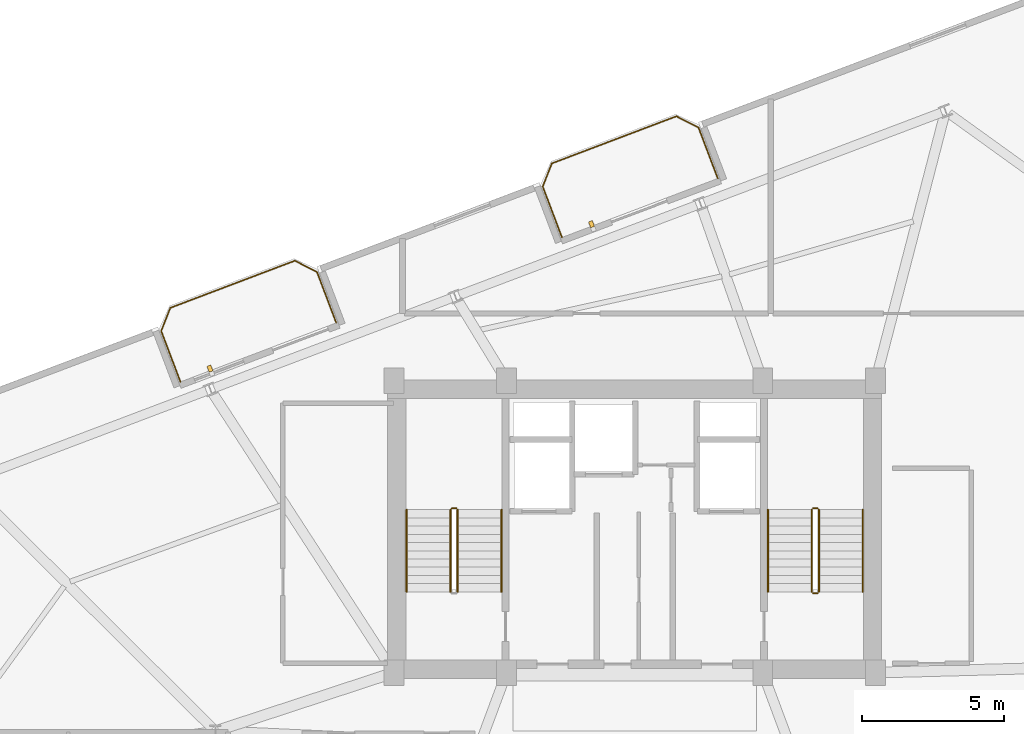
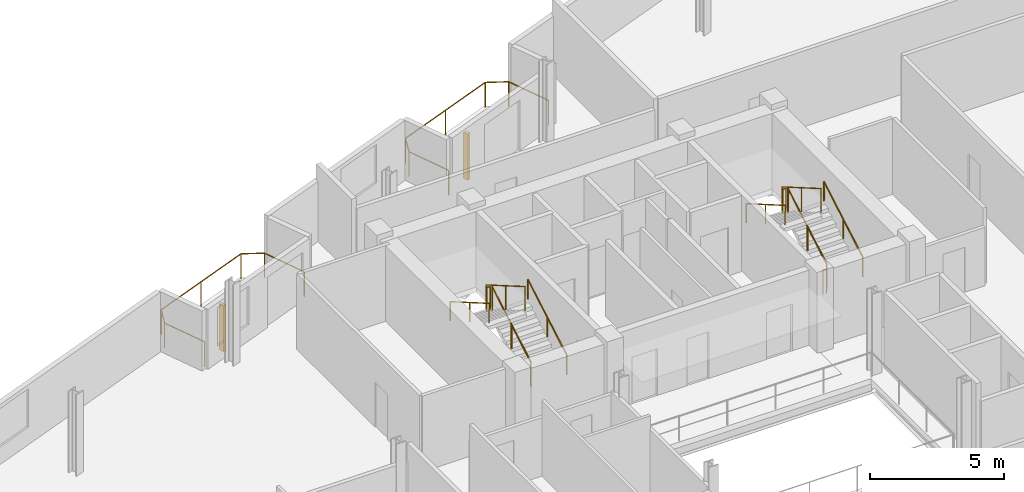
# One storey, part 19 of 19: 13 railings, 2 shading devices.
"""IFC4 building model written with IfcOpenShell, lengths in metres."""

from ifc_helpers import new_model, si_unit, direction, frame, origin, origin_2d, place, context, subcontext, project, spatial, rectangle, circle, extrude, source, transform, mapped, material, type_object, element, save


model = new_model("IFC4")

# Units and contexts
model_context = context("Model", 3, precision=1e-05, world=origin(), true_north=direction((0.0, 1.0)))
body_context = subcontext(model_context, "Body", "Model", "MODEL_VIEW")
ifc_project = project(units=[si_unit("LENGTHUNIT", "METRE"), si_unit("AREAUNIT", "SQUARE_METRE"), si_unit("VOLUMEUNIT", "CUBIC_METRE"), si_unit("PLANEANGLEUNIT", "RADIAN"), si_unit("MASSUNIT", "GRAM", prefix="KILO")], contexts=[model_context])

# Site, building, storey
site_placement = place(None, origin())
site = spatial("IfcSite", under=ifc_project, at=site_placement, CompositionType="ELEMENT")
building_placement = place(site_placement, origin())
building = spatial("IfcBuilding", under=site, at=building_placement, Name="Varnelok Gate Tower", CompositionType="ELEMENT")
storey_placement = place(building_placement, frame((0.0, 0.0, 231.199951171875)))
storey = spatial("IfcBuildingStorey", under=building, at=storey_placement, Name="L59", CompositionType="ELEMENT", Elevation=231.199951171875)

# Railings
ifc_material_1 = material(Name="Low-E Laminated Double Glazing IGU", Category="glass")
railing_type_1 = type_object("IfcRailingType", Name="RL-BALC-1150", PredefinedType="BALUSTRADE", material=ifc_material_1)
railing_1_placement = place(storey_placement, frame((23.166748046875, 39.011474609375, 0.0)))
element("IfcRailing", 1, at=railing_1_placement, inside=storey, type_object=railing_type_1, Name="L59 North Terrace Balustrade 3", PredefinedType="BALUSTRADE", context=body_context, shape_type="SweptSolid", body=[
    extrude(circle(Radius=0.02392578125, at=origin_2d()), frame((0.0, 0.0, 1.1259765625), z_axis=(-0.354159661475, 0.935184973245, 0.0), x_axis=(-0.935184973245, -0.354159661475, 0.0)), (0.0, 0.0, 1.0), 1.919921875),
    extrude(circle(Radius=0.02392578125, at=origin_2d()), frame((-0.679931640625, 1.79541015625, 1.1259765625), z_axis=(0.366495340819, 0.93041988648, 0.0), x_axis=(-0.93041988648, 0.366495340819, 0.0)), (0.0, 0.0, 1.0), 0.8779296875),
    extrude(circle(Radius=0.02392578125, at=origin_2d()), frame((-0.358154296875, 2.6123046875, 1.1259765625), z_axis=(0.935223045203, 0.354059113314, 0.0), x_axis=(-0.354059113314, 0.935223045203, 0.0)), (0.0, 0.0, 1.0), 4.699951171875),
    extrude(circle(Radius=0.02392578125, at=origin_2d()), frame((4.037353515625, 4.2763671875, 1.1259765625), z_axis=(0.89078254773, -0.454429810487, 0.0), x_axis=(0.454429810487, 0.89078254773, 0.0)), (0.0, 0.0, 1.0), 0.8779296875),
    extrude(circle(Radius=0.02392578125, at=origin_2d()), frame((4.8193359375, 3.87744140625, 1.1259765625), z_axis=(0.354006333352, -0.935243025073, 0.0), x_axis=(0.935243025073, 0.354006333352, 0.0)), (0.0, 0.0, 1.0), 1.919921875),
    extrude(circle(Radius=0.02099609375, at=origin_2d()), origin(), (0.0, 0.0, 1.0), 1.101806640625),
    extrude(circle(Radius=0.02099609375, at=origin_2d()), frame((-0.679931640625, 1.79541015625, 0.0)), (0.0, 0.0, 1.0), 1.101806640625),
    extrude(circle(Radius=0.02099609375, at=origin_2d()), frame((-0.358154296875, 2.6123046875, 0.0)), (0.0, 0.0, 1.0), 1.101806640625),
    extrude(circle(Radius=0.02099609375, at=origin_2d()), frame((1.839599609375, 3.4443359375, 0.0)), (0.0, 0.0, 1.0), 1.101806640625),
    extrude(circle(Radius=0.02099609375, at=origin_2d()), frame((4.037353515625, 4.2763671875, 0.0)), (0.0, 0.0, 1.0), 1.101806640625),
    extrude(circle(Radius=0.02099609375, at=origin_2d()), frame((4.8193359375, 3.87744140625, 0.0)), (0.0, 0.0, 1.0), 1.101806640625),
    extrude(circle(Radius=0.02099609375, at=origin_2d()), frame((5.4990234375, 2.081787109375, 0.0)), (0.0, 0.0, 1.0), 1.101806640625),
])
railing_2_placement = place(storey_placement, frame((36.6337890625, 44.10986328125, 0.0)))
element("IfcRailing", 2, at=railing_2_placement, inside=storey, type_object=railing_type_1, Name="L59 North Terrace Balustrade 4", PredefinedType="BALUSTRADE", context=body_context, shape_type="SweptSolid", body=[
    extrude(circle(Radius=0.02392578125, at=origin_2d()), frame((0.0, 0.0, 1.1259765625), z_axis=(-0.354006333352, 0.935243025073, 0.0), x_axis=(-0.935243025073, -0.354006333352, 0.0)), (0.0, 0.0, 1.0), 1.919921875),
    extrude(circle(Radius=0.02392578125, at=origin_2d()), frame((-0.6796875, 1.795654296875, 1.1259765625), z_axis=(0.366254584666, 0.930514685113, 0.0), x_axis=(-0.930514685113, 0.366254584666, 0.0)), (0.0, 0.0, 1.0), 0.8779296875),
    extrude(circle(Radius=0.02392578125, at=origin_2d()), frame((-0.358154296875, 2.612548828125, 1.1259765625), z_axis=(0.935229556479, 0.354041913744, 0.0), x_axis=(-0.354041913744, 0.935229556479, 0.0)), (0.0, 0.0, 1.0), 4.7001953125),
    extrude(circle(Radius=0.02392578125, at=origin_2d()), frame((4.03759765625, 4.276611328125, 1.1259765625), z_axis=(0.890612455555, -0.454763074589, 0.0), x_axis=(0.454763074589, 0.890612455555, 0.0)), (0.0, 0.0, 1.0), 0.877685546875),
    extrude(circle(Radius=0.02392578125, at=origin_2d()), frame((4.8193359375, 3.87744140625, 1.1259765625), z_axis=(0.354159661475, -0.935184973245, 0.0), x_axis=(0.935184973245, 0.354159661475, 0.0)), (0.0, 0.0, 1.0), 1.919921875),
    extrude(circle(Radius=0.02099609375, at=origin_2d()), origin(), (0.0, 0.0, 1.0), 1.101806640625),
    extrude(circle(Radius=0.02099609375, at=origin_2d()), frame((-0.6796875, 1.795654296875, 0.0)), (0.0, 0.0, 1.0), 1.101806640625),
    extrude(circle(Radius=0.02099609375, at=origin_2d()), frame((-0.358154296875, 2.612548828125, 0.0)), (0.0, 0.0, 1.0), 1.101806640625),
    extrude(circle(Radius=0.02099609375, at=origin_2d()), frame((1.83984375, 3.444580078125, 0.0)), (0.0, 0.0, 1.0), 1.101806640625),
    extrude(circle(Radius=0.02099609375, at=origin_2d()), frame((4.03759765625, 4.276611328125, 0.0)), (0.0, 0.0, 1.0), 1.101806640625),
    extrude(circle(Radius=0.02099609375, at=origin_2d()), frame((4.8193359375, 3.87744140625, 0.0)), (0.0, 0.0, 1.0), 1.101806640625),
    extrude(circle(Radius=0.02099609375, at=origin_2d()), frame((5.499267578125, 2.08203125, 0.0)), (0.0, 0.0, 1.0), 1.101806640625),
])
ifc_material_2 = material(Name="Brushed Stainless Steel AISI 316", Category="steel")
railing_type_2 = type_object("IfcRailingType", Name="RL-HANDRAIL-900", PredefinedType="HANDRAIL", material=ifc_material_2)
railing_3_placement = place(storey_placement, frame((34.5, 31.60009765625, 0.168212890625)))
element("IfcRailing", 3, at=railing_3_placement, inside=storey, type_object=railing_type_2, Name="L59 ST-1 stair handrail 1", PredefinedType="HANDRAIL", context=body_context, shape_type="SweptSolid", body=[
    extrude(circle(Radius=0.02392578125, at=origin_2d()), frame((0.0, 0.0, 0.8759765625), z_axis=(0.0, 0.865038774852, 0.501705010941), x_axis=(-1.0, 0.0, 0.0)), (0.0, 0.0, 1.0), 3.352294921875),
    extrude(circle(Radius=0.02099609375, at=origin_2d()), origin(), (0.0, 0.0, 1.0), 0.851806640625),
    extrude(circle(Radius=0.02099609375, at=origin_2d()), frame((0.0, 1.449951171875, 0.8408203125)), (0.0, 0.0, 1.0), 0.851806640625),
    extrude(circle(Radius=0.02099609375, at=origin_2d()), frame((0.0, 2.89990234375, 1.681884765625)), (0.0, 0.0, 1.0), 0.851806640625),
])
railing_4_placement = place(storey_placement, frame((31.14990234375, 34.5, 2.018310546875)))
element("IfcRailing", 4, at=railing_4_placement, inside=storey, type_object=railing_type_2, Name="L59 ST-1 stair handrail 2", PredefinedType="HANDRAIL", context=body_context, shape_type="SweptSolid", body=[
    extrude(circle(Radius=0.02392578125, at=origin_2d()), frame((0.0, 0.0, 0.8759765625), z_axis=(0.0, -0.86507038078, 0.501650512107), x_axis=(1.0, 0.0, 0.0)), (0.0, 0.0, 1.0), 3.352294921875),
    extrude(circle(Radius=0.02099609375, at=origin_2d()), origin(), (0.0, 0.0, 1.0), 0.851806640625),
    extrude(circle(Radius=0.02099609375, at=origin_2d()), frame((0.0, -1.449951171875, 0.8408203125)), (0.0, 0.0, 1.0), 0.851806640625),
    extrude(circle(Radius=0.02099609375, at=origin_2d()), frame((0.0, -2.89990234375, 1.681640625)), (0.0, 0.0, 1.0), 0.851806640625),
])
railing_5_placement = place(storey_placement, frame((47.25, 31.60009765625, 0.168212890625)))
element("IfcRailing", 5, at=railing_5_placement, inside=storey, type_object=railing_type_2, Name="L59 ST-2 stair handrail 1", PredefinedType="HANDRAIL", context=body_context, shape_type="SweptSolid", body=[
    extrude(circle(Radius=0.02392578125, at=origin_2d()), frame((0.0, 0.0, 0.8759765625), z_axis=(0.0, 0.865038774852, 0.501705010941), x_axis=(-1.0, 0.0, 0.0)), (0.0, 0.0, 1.0), 3.352294921875),
    extrude(circle(Radius=0.02099609375, at=origin_2d()), origin(), (0.0, 0.0, 1.0), 0.851806640625),
    extrude(circle(Radius=0.02099609375, at=origin_2d()), frame((0.0, 1.449951171875, 0.8408203125)), (0.0, 0.0, 1.0), 0.851806640625),
    extrude(circle(Radius=0.02099609375, at=origin_2d()), frame((0.0, 2.89990234375, 1.681884765625)), (0.0, 0.0, 1.0), 0.851806640625),
])
railing_6_placement = place(storey_placement, frame((43.89990234375, 34.5, 2.018310546875)))
element("IfcRailing", 6, at=railing_6_placement, inside=storey, type_object=railing_type_2, Name="L59 ST-2 stair handrail 2", PredefinedType="HANDRAIL", context=body_context, shape_type="SweptSolid", body=[
    extrude(circle(Radius=0.02392578125, at=origin_2d()), frame((0.0, 0.0, 0.8759765625), z_axis=(0.0, -0.86507038078, 0.501650512107), x_axis=(1.0, 0.0, 0.0)), (0.0, 0.0, 1.0), 3.352294921875),
    extrude(circle(Radius=0.02099609375, at=origin_2d()), origin(), (0.0, 0.0, 1.0), 0.851806640625),
    extrude(circle(Radius=0.02099609375, at=origin_2d()), frame((0.0, -1.449951171875, 0.8408203125)), (0.0, 0.0, 1.0), 0.851806640625),
    extrude(circle(Radius=0.02099609375, at=origin_2d()), frame((0.0, -2.89990234375, 1.681640625)), (0.0, 0.0, 1.0), 0.851806640625),
])
ifc_material_3 = material(Name="Galvanized Steel Grade S350GD", Category="steel")
railing_type_3 = type_object("IfcRailingType", Name="RL-STAIR-GUARD1120", PredefinedType="GUARDRAIL", material=ifc_material_3)
railing_7_placement = place(storey_placement, frame((32.949951171875, 31.60009765625, 0.168212890625)))
element("IfcRailing", 7, at=railing_7_placement, inside=storey, type_object=railing_type_3, Name="L59 ST-1 stair guard 1", PredefinedType="GUARDRAIL", context=body_context, shape_type="SweptSolid", body=[
    extrude(circle(Radius=0.02392578125, at=origin_2d()), frame((0.0, 0.0, 1.09619140625), z_axis=(0.0, 0.865038774852, 0.501705010941), x_axis=(-1.0, 0.0, 0.0)), (0.0, 0.0, 1.0), 3.352294921875),
    extrude(circle(Radius=0.02099609375, at=origin_2d()), origin(), (0.0, 0.0, 1.0), 1.072021484375),
    extrude(circle(Radius=0.02099609375, at=origin_2d()), frame((0.0, 1.449951171875, 0.8408203125)), (0.0, 0.0, 1.0), 1.072021484375),
    extrude(circle(Radius=0.02099609375, at=origin_2d()), frame((0.0, 2.89990234375, 1.681884765625)), (0.0, 0.0, 1.0), 1.072021484375),
])
railing_8_placement = place(storey_placement, frame((32.89990234375, 34.550048828125, 1.85009765625)))
element("IfcRailing", 8, at=railing_8_placement, inside=storey, type_object=railing_type_3, Name="L59 ST-1 stair guard 2", PredefinedType="GUARDRAIL", context=body_context, shape_type="SweptSolid", body=[
    extrude(circle(Radius=0.02392578125, at=origin_2d()), frame((0.0, 0.0, 1.09619140625), z_axis=(-1.0, 0.0, 0.0), x_axis=(0.0, -1.0, 0.0)), (0.0, 0.0, 1.0), 0.14990234375),
    extrude(circle(Radius=0.02099609375, at=origin_2d()), origin(), (0.0, 0.0, 1.0), 1.072021484375),
    extrude(circle(Radius=0.02099609375, at=origin_2d()), frame((-0.14990234375, 0.0, 0.0)), (0.0, 0.0, 1.0), 1.072021484375),
])
railing_9_placement = place(storey_placement, frame((32.699951171875, 34.5, 2.018310546875)))
element("IfcRailing", 9, at=railing_9_placement, inside=storey, type_object=railing_type_3, Name="L59 ST-1 stair guard 3", PredefinedType="GUARDRAIL", context=body_context, shape_type="SweptSolid", body=[
    extrude(circle(Radius=0.02392578125, at=origin_2d()), frame((0.0, 0.0, 1.09619140625), z_axis=(0.0, -0.86507038078, 0.501650512107), x_axis=(1.0, 0.0, 0.0)), (0.0, 0.0, 1.0), 3.352294921875),
    extrude(circle(Radius=0.02099609375, at=origin_2d()), origin(), (0.0, 0.0, 1.0), 1.072021484375),
    extrude(circle(Radius=0.02099609375, at=origin_2d()), frame((0.0, -1.449951171875, 0.8408203125)), (0.0, 0.0, 1.0), 1.072021484375),
    extrude(circle(Radius=0.02099609375, at=origin_2d()), frame((0.0, -2.89990234375, 1.681640625)), (0.0, 0.0, 1.0), 1.072021484375),
])
railing_10_placement = place(storey_placement, frame((45.699951171875, 31.60009765625, 0.168212890625)))
element("IfcRailing", 10, at=railing_10_placement, inside=storey, type_object=railing_type_3, Name="L59 ST-2 stair guard 1", PredefinedType="GUARDRAIL", context=body_context, shape_type="SweptSolid", body=[
    extrude(circle(Radius=0.02392578125, at=origin_2d()), frame((0.0, 0.0, 1.09619140625), z_axis=(0.0, 0.865038774852, 0.501705010941), x_axis=(-1.0, 0.0, 0.0)), (0.0, 0.0, 1.0), 3.352294921875),
    extrude(circle(Radius=0.02099609375, at=origin_2d()), origin(), (0.0, 0.0, 1.0), 1.072021484375),
    extrude(circle(Radius=0.02099609375, at=origin_2d()), frame((0.0, 1.449951171875, 0.8408203125)), (0.0, 0.0, 1.0), 1.072021484375),
    extrude(circle(Radius=0.02099609375, at=origin_2d()), frame((0.0, 2.89990234375, 1.681884765625)), (0.0, 0.0, 1.0), 1.072021484375),
])
railing_11_placement = place(storey_placement, frame((45.64990234375, 34.550048828125, 1.85009765625)))
element("IfcRailing", 11, at=railing_11_placement, inside=storey, type_object=railing_type_3, Name="L59 ST-2 stair guard 2", PredefinedType="GUARDRAIL", context=body_context, shape_type="SweptSolid", body=[
    extrude(circle(Radius=0.02392578125, at=origin_2d()), frame((0.0, 0.0, 1.09619140625), z_axis=(-1.0, 0.0, 0.0), x_axis=(0.0, -1.0, 0.0)), (0.0, 0.0, 1.0), 0.14990234375),
    extrude(circle(Radius=0.02099609375, at=origin_2d()), origin(), (0.0, 0.0, 1.0), 1.072021484375),
    extrude(circle(Radius=0.02099609375, at=origin_2d()), frame((-0.14990234375, 0.0, 0.0)), (0.0, 0.0, 1.0), 1.072021484375),
])
railing_12_placement = place(storey_placement, frame((45.449951171875, 34.5, 2.018310546875)))
element("IfcRailing", 12, at=railing_12_placement, inside=storey, type_object=railing_type_3, Name="L59 ST-2 stair guard 3", PredefinedType="GUARDRAIL", context=body_context, shape_type="SweptSolid", body=[
    extrude(circle(Radius=0.02392578125, at=origin_2d()), frame((0.0, 0.0, 1.09619140625), z_axis=(0.0, -0.86507038078, 0.501650512107), x_axis=(1.0, 0.0, 0.0)), (0.0, 0.0, 1.0), 3.352294921875),
    extrude(circle(Radius=0.02099609375, at=origin_2d()), origin(), (0.0, 0.0, 1.0), 1.072021484375),
    extrude(circle(Radius=0.02099609375, at=origin_2d()), frame((0.0, -1.449951171875, 0.8408203125)), (0.0, 0.0, 1.0), 1.072021484375),
    extrude(circle(Radius=0.02099609375, at=origin_2d()), frame((0.0, -2.89990234375, 1.681640625)), (0.0, 0.0, 1.0), 1.072021484375),
])
railing_13_placement = place(storey_placement, frame((45.64990234375, 31.550048828125, 0.0)))
element("IfcRailing", 13, at=railing_13_placement, inside=storey, type_object=railing_type_3, Name="L59 ST-2 stair guard 4", PredefinedType="GUARDRAIL", context=body_context, shape_type="SweptSolid", body=[
    extrude(circle(Radius=0.02392578125, at=origin_2d()), frame((0.0, 0.0, 1.09619140625), z_axis=(-1.0, 0.0, 0.0), x_axis=(0.0, -1.0, 0.0)), (0.0, 0.0, 1.0), 0.14990234375),
    extrude(circle(Radius=0.02099609375, at=origin_2d()), origin(), (0.0, 0.0, 1.0), 1.072021484375),
    extrude(circle(Radius=0.02099609375, at=origin_2d()), frame((-0.14990234375, 0.0, 0.0)), (0.0, 0.0, 1.0), 1.072021484375),
])

# Shading devices
ifc_material_4 = material(Name="Glazed Architectural Terracotta Ceramic", Category="masonry")
shading_device_type = type_object("IfcShadingDeviceType", Name="SHD-TERRA-FIN", PredefinedType="USERDEFINED", material=ifc_material_4)
shared_shape = source(origin(), body_context, "Body", "SweptSolid", [
    extrude(rectangle(XDim=0.139892578125, YDim=0.219970703125, at=origin_2d()), origin(), (0.0, 0.0, 1.0), 2.10009765625),
])
for number, where, z_axis, x_axis, name in (
    (14, (24.2080078125, 39.48046875, 0.10009765625), (0.0, 0.0, 1.0), (0.935221751401, 0.354062530786, 0.0), "L59 Terracotta Ceramic Baguette Sunscreen 3.1"),
    (15, (37.67529296875, 44.5791015625, 0.10009765625), (0.0, 0.0, 1.0), (0.935221751401, 0.354062530786, 0.0), "L59 Terracotta Ceramic Baguette Sunscreen 4.1"),
):
    element("IfcShadingDevice", number, at=place(storey_placement, frame(where, z_axis=z_axis, x_axis=x_axis)), inside=storey, type_object=shading_device_type, Name=name, ObjectType="BAGUETTE", PredefinedType="USERDEFINED", context=body_context, shape_type="MappedRepresentation", body=[
        mapped(shared_shape, transform((0.0, 0.0, 0.0), scale=1.0)),
    ])

save(model, "model.ifc")
